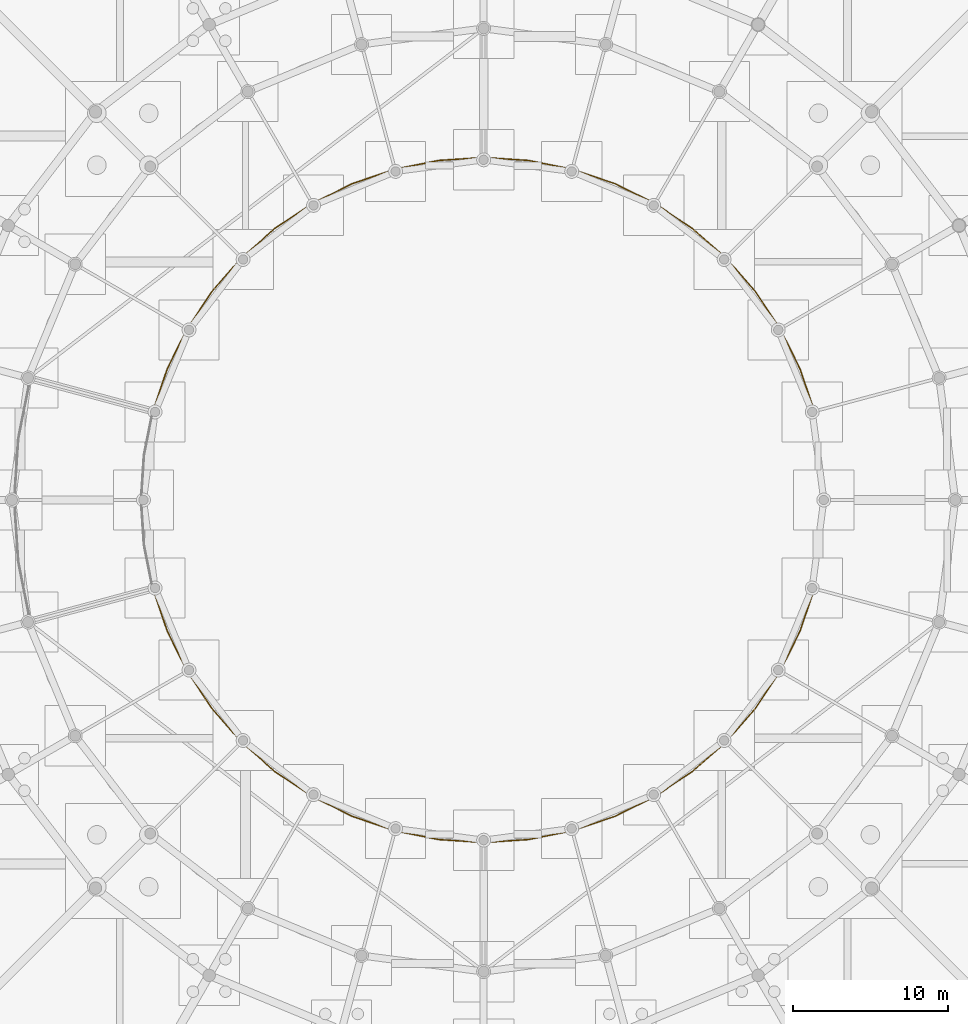
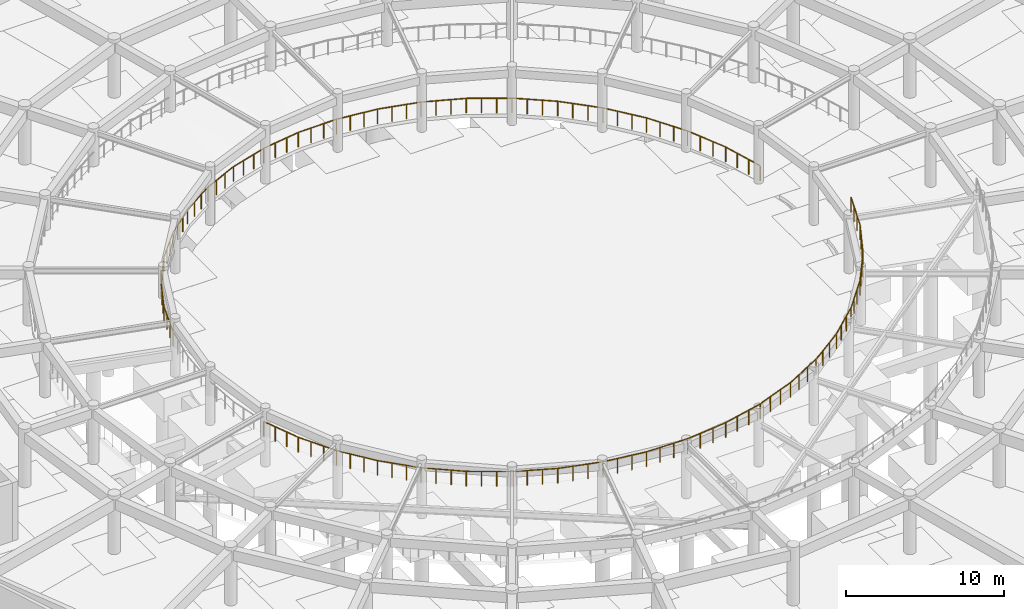
# One storey, part 69 of 84: 2 railings.
"""IFC4 building model written with IfcOpenShell, lengths in metres."""

from ifc_helpers import new_model, si_unit, direction, frame, origin, origin_2d, place, context, subcontext, project, spatial, circle, extrude, material, type_object, element, save


model = new_model("IFC4")

# Units and contexts
model_context = context("Model", 3, precision=1e-05, world=origin(), true_north=direction((0.0, 1.0)))
body_context = subcontext(model_context, "Body", "Model", "MODEL_VIEW")
ifc_project = project(units=[si_unit("LENGTHUNIT", "METRE"), si_unit("AREAUNIT", "SQUARE_METRE"), si_unit("VOLUMEUNIT", "CUBIC_METRE"), si_unit("PLANEANGLEUNIT", "RADIAN"), si_unit("MASSUNIT", "GRAM", prefix="KILO")], contexts=[model_context])

# Site, building, storey
site_placement = place(None, origin())
site = spatial("IfcSite", under=ifc_project, at=site_placement, CompositionType="ELEMENT")
building_placement = place(site_placement, origin())
building = spatial("IfcBuilding", under=site, at=building_placement, Name="Larkveld Mobility Hub", CompositionType="ELEMENT")
storey_placement = place(building_placement, origin())
storey = spatial("IfcBuildingStorey", under=building, at=storey_placement, Name="L00", CompositionType="ELEMENT", Elevation=0.0)

# Railings
ifc_material = material(Name="Galvanized Steel S355JR vehicle-deck guard", Category="steel")
railing_type = type_object("IfcRailingType", Name="RL-GRD-RMP", PredefinedType="GUARDRAIL", material=ifc_material)
railing_1_placement = place(storey_placement, frame((69.39501953125, 53.73291015625, 0.0)))
element("IfcRailing", 1, at=railing_1_placement, inside=storey, type_object=railing_type, Name="Helical Ramp Inner Sloped Guard T1 L00-003", PredefinedType="GUARDRAIL", context=body_context, shape_type="SweptSolid", body=[
    extrude(circle(Radius=0.02392578125, at=origin_2d()), frame((0.0, 0.0, 1.1259765625), z_axis=(-0.321111350097, 0.946238428976, 0.038991490977), x_axis=(-0.946958550549, -0.321355727416, 0.0)), (0.0, 0.0, 1.0), 2.89892578125),
    extrude(circle(Radius=0.02392578125, at=origin_2d()), frame((-0.930908203125, 2.7431640625, 1.23876953125), z_axis=(-0.442125433178, 0.896120570483, 0.038639675139), x_axis=(-0.896790285483, -0.442455855271, 0.0)), (0.0, 0.0, 1.0), 2.900146484375),
    extrude(circle(Radius=0.02392578125, at=origin_2d()), frame((-2.213134765625, 5.342041015625, 1.35107421875), z_axis=(-0.554986867919, 0.830964404516, 0.038571166238), x_axis=(-0.831583222437, -0.555400165791, 0.0)), (0.0, 0.0, 1.0), 2.89892578125),
    extrude(circle(Radius=0.02392578125, at=origin_2d()), frame((-3.822021484375, 7.7509765625, 1.462890625), z_axis=(-0.658969173351, 0.751159188021, 0.038980800723), x_axis=(-0.751730533478, -0.659470397392, 0.0)), (0.0, 0.0, 1.0), 2.89990234375),
    extrude(circle(Radius=0.02392578125, at=origin_2d()), frame((-5.73291015625, 9.92919921875, 1.57568359375), z_axis=(-0.751169006426, 0.65897778674, 0.038644538663), x_axis=(-0.659470397392, -0.751730533478, 0.0)), (0.0, 0.0, 1.0), 2.899658203125),
    extrude(circle(Radius=0.02392578125, at=origin_2d()), frame((-7.9111328125, 11.840087890625, 1.68798828125), z_axis=(-0.830950834948, 0.554977805038, 0.038991612099), x_axis=(-0.555400165791, -0.831583222437, 0.0)), (0.0, 0.0, 1.0), 2.89892578125),
    extrude(circle(Radius=0.02392578125, at=origin_2d()), frame((-10.320068359375, 13.448974609375, 1.80078125), z_axis=(-0.896120570483, 0.442125433178, 0.038639675139), x_axis=(-0.442455855271, -0.896790285483, 0.0)), (0.0, 0.0, 1.0), 2.900146484375),
    extrude(circle(Radius=0.02392578125, at=origin_2d()), frame((-12.9189453125, 14.731201171875, 1.9130859375), z_axis=(-0.946241532765, 0.321112403385, 0.038907403715), x_axis=(-0.321355727416, -0.946958550549, 0.0)), (0.0, 0.0, 1.0), 2.89892578125),
    extrude(circle(Radius=0.02392578125, at=origin_2d()), frame((-15.662109375, 15.662109375, 2.02587890625), z_axis=(-0.98000977138, 0.195160021483, 0.038644715212), x_axis=(-0.195305912265, -0.980742372203, 0.0)), (0.0, 0.0, 1.0), 2.899658203125),
    extrude(circle(Radius=0.02392578125, at=origin_2d()), frame((-18.50390625, 16.22802734375, 2.1376953125), z_axis=(-0.99711222275, 0.065171834184, 0.03898521864), x_axis=(-0.065221416326, -0.997870816715, 0.0)), (0.0, 0.0, 1.0), 2.8994140625),
    extrude(circle(Radius=0.02392578125, at=origin_2d()), frame((-21.39501953125, 16.4169921875, 2.2509765625), z_axis=(-0.99711222275, -0.065171834184, 0.03898521864), x_axis=(0.065221416326, -0.997870816715, 0.0)), (0.0, 0.0, 1.0), 2.8994140625),
    extrude(circle(Radius=0.02392578125, at=origin_2d()), frame((-24.2861328125, 16.22802734375, 2.36376953125), z_axis=(-0.98000977138, -0.195160021483, 0.038644715212), x_axis=(0.195305912265, -0.980742372203, 0.0)), (0.0, 0.0, 1.0), 2.899658203125),
    extrude(circle(Radius=0.02392578125, at=origin_2d()), frame((-27.1279296875, 15.662109375, 2.47607421875), z_axis=(-0.946241532765, -0.321112403385, 0.038907403715), x_axis=(0.321355727416, -0.946958550549, 0.0)), (0.0, 0.0, 1.0), 2.89892578125),
    extrude(circle(Radius=0.02392578125, at=origin_2d()), frame((-29.87109375, 14.731201171875, 2.5888671875), z_axis=(-0.896120570483, -0.442125433178, 0.038639675139), x_axis=(0.442455855271, -0.896790285483, 0.0)), (0.0, 0.0, 1.0), 2.900146484375),
    extrude(circle(Radius=0.02392578125, at=origin_2d()), frame((-32.469970703125, 13.448974609375, 2.70068359375), z_axis=(-0.830950834948, -0.554977805038, 0.038991612099), x_axis=(0.555400165791, -0.831583222437, 0.0)), (0.0, 0.0, 1.0), 2.89892578125),
    extrude(circle(Radius=0.02392578125, at=origin_2d()), frame((-34.87890625, 11.840087890625, 2.81396484375), z_axis=(-0.751169006426, -0.65897778674, 0.038644538663), x_axis=(0.659470397392, -0.751730533478, 0.0)), (0.0, 0.0, 1.0), 2.899658203125),
    extrude(circle(Radius=0.02392578125, at=origin_2d()), frame((-37.05712890625, 9.92919921875, 2.92578125), z_axis=(-0.65897778674, -0.751169006426, 0.038644538663), x_axis=(0.751730533478, -0.659470397392, 0.0)), (0.0, 0.0, 1.0), 2.899658203125),
    extrude(circle(Radius=0.02392578125, at=origin_2d()), frame((-38.968017578125, 7.7509765625, 3.0380859375), z_axis=(-0.554979625451, -0.830953560595, 0.038907524576), x_axis=(0.831583222437, -0.555400165791, 0.0)), (0.0, 0.0, 1.0), 2.89892578125),
    extrude(circle(Radius=0.02392578125, at=origin_2d()), frame((-40.576904296875, 5.342041015625, 3.15087890625), z_axis=(-0.442125433178, -0.896120570483, 0.038639675139), x_axis=(0.896790285483, -0.442455855271, 0.0)), (0.0, 0.0, 1.0), 2.900146484375),
    extrude(circle(Radius=0.02392578125, at=origin_2d()), frame((-41.859130859375, 2.7431640625, 3.2626953125), z_axis=(-0.321111350097, -0.946238428976, 0.038991490977), x_axis=(0.946958550549, -0.321355727416, 0.0)), (0.0, 0.0, 1.0), 2.89892578125),
    extrude(circle(Radius=0.02099609375, at=origin_2d()), origin(), (0.0, 0.0, 1.0), 1.101806640625),
    extrude(circle(Radius=0.02099609375, at=origin_2d()), frame((-0.310302734375, 0.914306640625, 0.03759765625)), (0.0, 0.0, 1.0), 1.101806640625),
    extrude(circle(Radius=0.02099609375, at=origin_2d()), frame((-0.62060546875, 1.828857421875, 0.075439453125)), (0.0, 0.0, 1.0), 1.101806640625),
    extrude(circle(Radius=0.02099609375, at=origin_2d()), frame((-0.930908203125, 2.7431640625, 0.113037109375)), (0.0, 0.0, 1.0), 1.101806640625),
    extrude(circle(Radius=0.02099609375, at=origin_2d()), frame((-1.3583984375, 3.609375, 0.150390625)), (0.0, 0.0, 1.0), 1.101806640625),
    extrude(circle(Radius=0.02099609375, at=origin_2d()), frame((-1.78564453125, 4.475830078125, 0.187744140625)), (0.0, 0.0, 1.0), 1.101806640625),
    extrude(circle(Radius=0.02099609375, at=origin_2d()), frame((-2.213134765625, 5.342041015625, 0.22509765625)), (0.0, 0.0, 1.0), 1.101806640625),
    extrude(circle(Radius=0.02099609375, at=origin_2d()), frame((-2.74951171875, 6.14501953125, 0.262451171875)), (0.0, 0.0, 1.0), 1.101806640625),
    extrude(circle(Radius=0.02099609375, at=origin_2d()), frame((-3.28564453125, 6.947998046875, 0.299560546875)), (0.0, 0.0, 1.0), 1.101806640625),
    extrude(circle(Radius=0.02099609375, at=origin_2d()), frame((-3.822021484375, 7.7509765625, 0.3369140625)), (0.0, 0.0, 1.0), 1.101806640625),
    extrude(circle(Radius=0.02099609375, at=origin_2d()), frame((-4.458984375, 8.47705078125, 0.37451171875)), (0.0, 0.0, 1.0), 1.101806640625),
    extrude(circle(Radius=0.02099609375, at=origin_2d()), frame((-5.095947265625, 9.203125, 0.412353515625)), (0.0, 0.0, 1.0), 1.101806640625),
    extrude(circle(Radius=0.02099609375, at=origin_2d()), frame((-5.73291015625, 9.92919921875, 0.449951171875)), (0.0, 0.0, 1.0), 1.101806640625),
    extrude(circle(Radius=0.02099609375, at=origin_2d()), frame((-6.458984375, 10.566162109375, 0.4873046875)), (0.0, 0.0, 1.0), 1.101806640625),
    extrude(circle(Radius=0.02099609375, at=origin_2d()), frame((-7.18505859375, 11.203125, 0.524658203125)), (0.0, 0.0, 1.0), 1.101806640625),
    extrude(circle(Radius=0.02099609375, at=origin_2d()), frame((-7.9111328125, 11.840087890625, 0.56201171875)), (0.0, 0.0, 1.0), 1.101806640625),
    extrude(circle(Radius=0.02099609375, at=origin_2d()), frame((-8.714111328125, 12.37646484375, 0.599609375)), (0.0, 0.0, 1.0), 1.101806640625),
    extrude(circle(Radius=0.02099609375, at=origin_2d()), frame((-9.51708984375, 12.91259765625, 0.637451171875)), (0.0, 0.0, 1.0), 1.101806640625),
    extrude(circle(Radius=0.02099609375, at=origin_2d()), frame((-10.320068359375, 13.448974609375, 0.675048828125)), (0.0, 0.0, 1.0), 1.101806640625),
    extrude(circle(Radius=0.02099609375, at=origin_2d()), frame((-11.186279296875, 13.87646484375, 0.71240234375)), (0.0, 0.0, 1.0), 1.101806640625),
    extrude(circle(Radius=0.02099609375, at=origin_2d()), frame((-12.052734375, 14.3037109375, 0.749755859375)), (0.0, 0.0, 1.0), 1.101806640625),
    extrude(circle(Radius=0.02099609375, at=origin_2d()), frame((-12.9189453125, 14.731201171875, 0.787109375)), (0.0, 0.0, 1.0), 1.101806640625),
    extrude(circle(Radius=0.02099609375, at=origin_2d()), frame((-13.833251953125, 15.04150390625, 0.82470703125)), (0.0, 0.0, 1.0), 1.101806640625),
    extrude(circle(Radius=0.02099609375, at=origin_2d()), frame((-14.747802734375, 15.351806640625, 0.8623046875)), (0.0, 0.0, 1.0), 1.101806640625),
    extrude(circle(Radius=0.02099609375, at=origin_2d()), frame((-15.662109375, 15.662109375, 0.89990234375)), (0.0, 0.0, 1.0), 1.101806640625),
    extrude(circle(Radius=0.02099609375, at=origin_2d()), frame((-16.609375, 15.850830078125, 0.937255859375)), (0.0, 0.0, 1.0), 1.101806640625),
    extrude(circle(Radius=0.02099609375, at=origin_2d()), frame((-17.556640625, 16.039306640625, 0.974609375)), (0.0, 0.0, 1.0), 1.101806640625),
    extrude(circle(Radius=0.02099609375, at=origin_2d()), frame((-18.50390625, 16.22802734375, 1.011962890625)), (0.0, 0.0, 1.0), 1.101806640625),
    extrude(circle(Radius=0.02099609375, at=origin_2d()), frame((-19.467529296875, 16.291015625, 1.049560546875)), (0.0, 0.0, 1.0), 1.101806640625),
    extrude(circle(Radius=0.02099609375, at=origin_2d()), frame((-20.431396484375, 16.35400390625, 1.08740234375)), (0.0, 0.0, 1.0), 1.101806640625),
    extrude(circle(Radius=0.02099609375, at=origin_2d()), frame((-21.39501953125, 16.4169921875, 1.125)), (0.0, 0.0, 1.0), 1.101806640625),
    extrude(circle(Radius=0.02099609375, at=origin_2d()), frame((-22.358642578125, 16.35400390625, 1.16259765625)), (0.0, 0.0, 1.0), 1.101806640625),
    extrude(circle(Radius=0.02099609375, at=origin_2d()), frame((-23.322509765625, 16.291015625, 1.200439453125)), (0.0, 0.0, 1.0), 1.101806640625),
    extrude(circle(Radius=0.02099609375, at=origin_2d()), frame((-24.2861328125, 16.22802734375, 1.238037109375)), (0.0, 0.0, 1.0), 1.101806640625),
    extrude(circle(Radius=0.02099609375, at=origin_2d()), frame((-25.2333984375, 16.039306640625, 1.275390625)), (0.0, 0.0, 1.0), 1.101806640625),
    extrude(circle(Radius=0.02099609375, at=origin_2d()), frame((-26.1806640625, 15.850830078125, 1.312744140625)), (0.0, 0.0, 1.0), 1.101806640625),
    extrude(circle(Radius=0.02099609375, at=origin_2d()), frame((-27.1279296875, 15.662109375, 1.35009765625)), (0.0, 0.0, 1.0), 1.101806640625),
    extrude(circle(Radius=0.02099609375, at=origin_2d()), frame((-28.042236328125, 15.351806640625, 1.3876953125)), (0.0, 0.0, 1.0), 1.101806640625),
    extrude(circle(Radius=0.02099609375, at=origin_2d()), frame((-28.956787109375, 15.04150390625, 1.42529296875)), (0.0, 0.0, 1.0), 1.101806640625),
    extrude(circle(Radius=0.02099609375, at=origin_2d()), frame((-29.87109375, 14.731201171875, 1.462890625)), (0.0, 0.0, 1.0), 1.101806640625),
    extrude(circle(Radius=0.02099609375, at=origin_2d()), frame((-30.7373046875, 14.3037109375, 1.500244140625)), (0.0, 0.0, 1.0), 1.101806640625),
    extrude(circle(Radius=0.02099609375, at=origin_2d()), frame((-31.603759765625, 13.87646484375, 1.53759765625)), (0.0, 0.0, 1.0), 1.101806640625),
    extrude(circle(Radius=0.02099609375, at=origin_2d()), frame((-32.469970703125, 13.448974609375, 1.574951171875)), (0.0, 0.0, 1.0), 1.101806640625),
    extrude(circle(Radius=0.02099609375, at=origin_2d()), frame((-33.27294921875, 12.91259765625, 1.612548828125)), (0.0, 0.0, 1.0), 1.101806640625),
    extrude(circle(Radius=0.02099609375, at=origin_2d()), frame((-34.075927734375, 12.37646484375, 1.650390625)), (0.0, 0.0, 1.0), 1.101806640625),
    extrude(circle(Radius=0.02099609375, at=origin_2d()), frame((-34.87890625, 11.840087890625, 1.68798828125)), (0.0, 0.0, 1.0), 1.101806640625),
    extrude(circle(Radius=0.02099609375, at=origin_2d()), frame((-35.60498046875, 11.203125, 1.725341796875)), (0.0, 0.0, 1.0), 1.101806640625),
    extrude(circle(Radius=0.02099609375, at=origin_2d()), frame((-36.3310546875, 10.566162109375, 1.7626953125)), (0.0, 0.0, 1.0), 1.101806640625),
    extrude(circle(Radius=0.02099609375, at=origin_2d()), frame((-37.05712890625, 9.92919921875, 1.800048828125)), (0.0, 0.0, 1.0), 1.101806640625),
    extrude(circle(Radius=0.02099609375, at=origin_2d()), frame((-37.694091796875, 9.203125, 1.83740234375)), (0.0, 0.0, 1.0), 1.101806640625),
    extrude(circle(Radius=0.02099609375, at=origin_2d()), frame((-38.3310546875, 8.47705078125, 1.874755859375)), (0.0, 0.0, 1.0), 1.101806640625),
    extrude(circle(Radius=0.02099609375, at=origin_2d()), frame((-38.968017578125, 7.7509765625, 1.912109375)), (0.0, 0.0, 1.0), 1.101806640625),
    extrude(circle(Radius=0.02099609375, at=origin_2d()), frame((-39.50439453125, 6.947998046875, 1.94970703125)), (0.0, 0.0, 1.0), 1.101806640625),
    extrude(circle(Radius=0.02099609375, at=origin_2d()), frame((-40.04052734375, 6.14501953125, 1.9873046875)), (0.0, 0.0, 1.0), 1.101806640625),
    extrude(circle(Radius=0.02099609375, at=origin_2d()), frame((-40.576904296875, 5.342041015625, 2.02490234375)), (0.0, 0.0, 1.0), 1.101806640625),
    extrude(circle(Radius=0.02099609375, at=origin_2d()), frame((-41.00439453125, 4.475830078125, 2.062255859375)), (0.0, 0.0, 1.0), 1.101806640625),
    extrude(circle(Radius=0.02099609375, at=origin_2d()), frame((-41.431640625, 3.609375, 2.099609375)), (0.0, 0.0, 1.0), 1.101806640625),
    extrude(circle(Radius=0.02099609375, at=origin_2d()), frame((-41.859130859375, 2.7431640625, 2.136962890625)), (0.0, 0.0, 1.0), 1.101806640625),
    extrude(circle(Radius=0.02099609375, at=origin_2d()), frame((-42.16943359375, 1.828857421875, 2.174560546875)), (0.0, 0.0, 1.0), 1.101806640625),
    extrude(circle(Radius=0.02099609375, at=origin_2d()), frame((-42.479736328125, 0.914306640625, 2.21240234375)), (0.0, 0.0, 1.0), 1.101806640625),
    extrude(circle(Radius=0.02099609375, at=origin_2d()), frame((-42.7900390625, 0.0, 2.25)), (0.0, 0.0, 1.0), 1.101806640625),
])
railing_2_placement = place(storey_placement, frame((26.60498046875, 42.26708984375, 2.25)))
element("IfcRailing", 2, at=railing_2_placement, inside=storey, type_object=railing_type, Name="Helical Ramp Inner Sloped Guard T2 L00-005", PredefinedType="GUARDRAIL", context=body_context, shape_type="SweptSolid", body=[
    extrude(circle(Radius=0.02392578125, at=origin_2d()), frame((0.0, 0.0, 1.1259765625), z_axis=(0.321115549647, -0.946250804047, 0.038655136976), x_axis=(0.946958550549, 0.321355727416, 0.0)), (0.0, 0.0, 1.0), 2.89892578125),
    extrude(circle(Radius=0.02392578125, at=origin_2d()), frame((0.930908203125, -2.7431640625, 1.23779296875), z_axis=(0.442119655684, -0.896108860388, 0.038975895008), x_axis=(0.896790285483, 0.442455855271, 0.0)), (0.0, 0.0, 1.0), 2.900146484375),
    extrude(circle(Radius=0.02392578125, at=origin_2d()), frame((2.213134765625, -5.342041015625, 1.35107421875), z_axis=(0.554986867919, -0.830964404516, 0.038571166238), x_axis=(0.831583222437, 0.555400165791, 0.0)), (0.0, 0.0, 1.0), 2.89892578125),
    extrude(circle(Radius=0.02392578125, at=origin_2d()), frame((3.822021484375, -7.7509765625, 1.462890625), z_axis=(0.658969173351, -0.751159188021, 0.038980800723), x_axis=(0.751730533478, 0.659470397392, 0.0)), (0.0, 0.0, 1.0), 2.89990234375),
    extrude(circle(Radius=0.02392578125, at=origin_2d()), frame((5.73291015625, -9.92919921875, 1.57568359375), z_axis=(0.751169006426, -0.65897778674, 0.038644538663), x_axis=(0.659470397392, 0.751730533478, 0.0)), (0.0, 0.0, 1.0), 2.899658203125),
    extrude(circle(Radius=0.02392578125, at=origin_2d()), frame((7.9111328125, -11.840087890625, 1.68798828125), z_axis=(0.830950834948, -0.554977805038, 0.038991612099), x_axis=(0.555400165791, 0.831583222437, 0.0)), (0.0, 0.0, 1.0), 2.89892578125),
    extrude(circle(Radius=0.02392578125, at=origin_2d()), frame((10.320068359375, -13.448974609375, 1.80078125), z_axis=(0.896108860388, -0.442119655684, 0.038975895008), x_axis=(0.442455855271, 0.896790285483, 0.0)), (0.0, 0.0, 1.0), 2.900146484375),
    extrude(circle(Radius=0.02392578125, at=origin_2d()), frame((12.9189453125, -14.731201171875, 1.9140625), z_axis=(0.946253881113, -0.321116593867, 0.038571046418), x_axis=(0.321355727416, 0.946958550549, 0.0)), (0.0, 0.0, 1.0), 2.89892578125),
    extrude(circle(Radius=0.02392578125, at=origin_2d()), frame((15.662109375, -15.662109375, 2.02587890625), z_axis=(0.979996961719, -0.195157470555, 0.038980978804), x_axis=(0.195305912265, 0.980742372203, 0.0)), (0.0, 0.0, 1.0), 2.89990234375),
    extrude(circle(Radius=0.02392578125, at=origin_2d()), frame((18.50390625, -16.22802734375, 2.138671875), z_axis=(0.997125258962, -0.065172686239, 0.038648918583), x_axis=(0.065221416326, 0.997870816715, 0.0)), (0.0, 0.0, 1.0), 2.8994140625),
    extrude(circle(Radius=0.02392578125, at=origin_2d()), frame((21.39501953125, -16.4169921875, 2.2509765625), z_axis=(0.997125258962, 0.065172686239, 0.038648918583), x_axis=(-0.065221416326, 0.997870816715, 0.0)), (0.0, 0.0, 1.0), 2.8994140625),
    extrude(circle(Radius=0.02392578125, at=origin_2d()), frame((24.2861328125, -16.22802734375, 2.36279296875), z_axis=(0.979996961719, 0.195157470555, 0.038980978804), x_axis=(-0.195305912265, 0.980742372203, 0.0)), (0.0, 0.0, 1.0), 2.89990234375),
    extrude(circle(Radius=0.02392578125, at=origin_2d()), frame((27.1279296875, -15.662109375, 2.47607421875), z_axis=(0.946241532765, 0.321112403385, 0.038907403715), x_axis=(-0.321355727416, 0.946958550549, 0.0)), (0.0, 0.0, 1.0), 2.89892578125),
    extrude(circle(Radius=0.02392578125, at=origin_2d()), frame((29.87109375, -14.731201171875, 2.5888671875), z_axis=(0.896120570483, 0.442125433178, 0.038639675139), x_axis=(-0.442455855271, 0.896790285483, 0.0)), (0.0, 0.0, 1.0), 2.900146484375),
    extrude(circle(Radius=0.02392578125, at=origin_2d()), frame((32.469970703125, -13.448974609375, 2.70068359375), z_axis=(0.830950834948, 0.554977805038, 0.038991612099), x_axis=(-0.555400165791, 0.831583222437, 0.0)), (0.0, 0.0, 1.0), 2.89892578125),
    extrude(circle(Radius=0.02392578125, at=origin_2d()), frame((34.87890625, -11.840087890625, 2.81396484375), z_axis=(0.751169006426, 0.65897778674, 0.038644538663), x_axis=(-0.659470397392, 0.751730533478, 0.0)), (0.0, 0.0, 1.0), 2.899658203125),
    extrude(circle(Radius=0.02392578125, at=origin_2d()), frame((37.05712890625, -9.92919921875, 2.92578125), z_axis=(0.65897778674, 0.751169006426, 0.038644538663), x_axis=(-0.751730533478, 0.659470397392, 0.0)), (0.0, 0.0, 1.0), 2.899658203125),
    extrude(circle(Radius=0.02392578125, at=origin_2d()), frame((38.968017578125, -7.7509765625, 3.0380859375), z_axis=(0.554979625451, 0.830953560595, 0.038907524576), x_axis=(-0.831583222437, 0.555400165791, 0.0)), (0.0, 0.0, 1.0), 2.89892578125),
    extrude(circle(Radius=0.02392578125, at=origin_2d()), frame((40.576904296875, -5.342041015625, 3.15087890625), z_axis=(0.442125433178, 0.896120570483, 0.038639675139), x_axis=(-0.896790285483, 0.442455855271, 0.0)), (0.0, 0.0, 1.0), 2.900146484375),
    extrude(circle(Radius=0.02392578125, at=origin_2d()), frame((41.859130859375, -2.7431640625, 3.2626953125), z_axis=(0.321111350097, 0.946238428976, 0.038991490977), x_axis=(-0.946958550549, 0.321355727416, 0.0)), (0.0, 0.0, 1.0), 2.89892578125),
    extrude(circle(Radius=0.02099609375, at=origin_2d()), origin(), (0.0, 0.0, 1.0), 1.101806640625),
    extrude(circle(Radius=0.02099609375, at=origin_2d()), frame((0.310302734375, -0.914306640625, 0.037353515625)), (0.0, 0.0, 1.0), 1.101806640625),
    extrude(circle(Radius=0.02099609375, at=origin_2d()), frame((0.62060546875, -1.828857421875, 0.07470703125)), (0.0, 0.0, 1.0), 1.101806640625),
    extrude(circle(Radius=0.02099609375, at=origin_2d()), frame((0.930908203125, -2.7431640625, 0.112060546875)), (0.0, 0.0, 1.0), 1.101806640625),
    extrude(circle(Radius=0.02099609375, at=origin_2d()), frame((1.3583984375, -3.609375, 0.149658203125)), (0.0, 0.0, 1.0), 1.101806640625),
    extrude(circle(Radius=0.02099609375, at=origin_2d()), frame((1.78564453125, -4.475830078125, 0.1875)), (0.0, 0.0, 1.0), 1.101806640625),
    extrude(circle(Radius=0.02099609375, at=origin_2d()), frame((2.213134765625, -5.342041015625, 0.22509765625)), (0.0, 0.0, 1.0), 1.101806640625),
    extrude(circle(Radius=0.02099609375, at=origin_2d()), frame((2.74951171875, -6.14501953125, 0.262451171875)), (0.0, 0.0, 1.0), 1.101806640625),
    extrude(circle(Radius=0.02099609375, at=origin_2d()), frame((3.28564453125, -6.947998046875, 0.299560546875)), (0.0, 0.0, 1.0), 1.101806640625),
    extrude(circle(Radius=0.02099609375, at=origin_2d()), frame((3.822021484375, -7.7509765625, 0.3369140625)), (0.0, 0.0, 1.0), 1.101806640625),
    extrude(circle(Radius=0.02099609375, at=origin_2d()), frame((4.458984375, -8.47705078125, 0.37451171875)), (0.0, 0.0, 1.0), 1.101806640625),
    extrude(circle(Radius=0.02099609375, at=origin_2d()), frame((5.095947265625, -9.203125, 0.412353515625)), (0.0, 0.0, 1.0), 1.101806640625),
    extrude(circle(Radius=0.02099609375, at=origin_2d()), frame((5.73291015625, -9.92919921875, 0.449951171875)), (0.0, 0.0, 1.0), 1.101806640625),
    extrude(circle(Radius=0.02099609375, at=origin_2d()), frame((6.458984375, -10.566162109375, 0.4873046875)), (0.0, 0.0, 1.0), 1.101806640625),
    extrude(circle(Radius=0.02099609375, at=origin_2d()), frame((7.18505859375, -11.203125, 0.524658203125)), (0.0, 0.0, 1.0), 1.101806640625),
    extrude(circle(Radius=0.02099609375, at=origin_2d()), frame((7.9111328125, -11.840087890625, 0.56201171875)), (0.0, 0.0, 1.0), 1.101806640625),
    extrude(circle(Radius=0.02099609375, at=origin_2d()), frame((8.714111328125, -12.37646484375, 0.599609375)), (0.0, 0.0, 1.0), 1.101806640625),
    extrude(circle(Radius=0.02099609375, at=origin_2d()), frame((9.51708984375, -12.91259765625, 0.637451171875)), (0.0, 0.0, 1.0), 1.101806640625),
    extrude(circle(Radius=0.02099609375, at=origin_2d()), frame((10.320068359375, -13.448974609375, 0.675048828125)), (0.0, 0.0, 1.0), 1.101806640625),
    extrude(circle(Radius=0.02099609375, at=origin_2d()), frame((11.186279296875, -13.87646484375, 0.712646484375)), (0.0, 0.0, 1.0), 1.101806640625),
    extrude(circle(Radius=0.02099609375, at=origin_2d()), frame((12.052734375, -14.3037109375, 0.75048828125)), (0.0, 0.0, 1.0), 1.101806640625),
    extrude(circle(Radius=0.02099609375, at=origin_2d()), frame((12.9189453125, -14.731201171875, 0.7880859375)), (0.0, 0.0, 1.0), 1.101806640625),
    extrude(circle(Radius=0.02099609375, at=origin_2d()), frame((13.833251953125, -15.04150390625, 0.825439453125)), (0.0, 0.0, 1.0), 1.101806640625),
    extrude(circle(Radius=0.02099609375, at=origin_2d()), frame((14.747802734375, -15.351806640625, 0.862548828125)), (0.0, 0.0, 1.0), 1.101806640625),
    extrude(circle(Radius=0.02099609375, at=origin_2d()), frame((15.662109375, -15.662109375, 0.89990234375)), (0.0, 0.0, 1.0), 1.101806640625),
    extrude(circle(Radius=0.02099609375, at=origin_2d()), frame((16.609375, -15.850830078125, 0.9375)), (0.0, 0.0, 1.0), 1.101806640625),
    extrude(circle(Radius=0.02099609375, at=origin_2d()), frame((17.556640625, -16.039306640625, 0.975341796875)), (0.0, 0.0, 1.0), 1.101806640625),
    extrude(circle(Radius=0.02099609375, at=origin_2d()), frame((18.50390625, -16.22802734375, 1.012939453125)), (0.0, 0.0, 1.0), 1.101806640625),
    extrude(circle(Radius=0.02099609375, at=origin_2d()), frame((19.467529296875, -16.291015625, 1.05029296875)), (0.0, 0.0, 1.0), 1.101806640625),
    extrude(circle(Radius=0.02099609375, at=origin_2d()), frame((20.431396484375, -16.35400390625, 1.087646484375)), (0.0, 0.0, 1.0), 1.101806640625),
    extrude(circle(Radius=0.02099609375, at=origin_2d()), frame((21.39501953125, -16.4169921875, 1.125)), (0.0, 0.0, 1.0), 1.101806640625),
    extrude(circle(Radius=0.02099609375, at=origin_2d()), frame((22.358642578125, -16.35400390625, 1.162353515625)), (0.0, 0.0, 1.0), 1.101806640625),
    extrude(circle(Radius=0.02099609375, at=origin_2d()), frame((23.322509765625, -16.291015625, 1.19970703125)), (0.0, 0.0, 1.0), 1.101806640625),
    extrude(circle(Radius=0.02099609375, at=origin_2d()), frame((24.2861328125, -16.22802734375, 1.237060546875)), (0.0, 0.0, 1.0), 1.101806640625),
    extrude(circle(Radius=0.02099609375, at=origin_2d()), frame((25.2333984375, -16.039306640625, 1.274658203125)), (0.0, 0.0, 1.0), 1.101806640625),
    extrude(circle(Radius=0.02099609375, at=origin_2d()), frame((26.1806640625, -15.850830078125, 1.3125)), (0.0, 0.0, 1.0), 1.101806640625),
    extrude(circle(Radius=0.02099609375, at=origin_2d()), frame((27.1279296875, -15.662109375, 1.35009765625)), (0.0, 0.0, 1.0), 1.101806640625),
    extrude(circle(Radius=0.02099609375, at=origin_2d()), frame((28.042236328125, -15.351806640625, 1.3876953125)), (0.0, 0.0, 1.0), 1.101806640625),
    extrude(circle(Radius=0.02099609375, at=origin_2d()), frame((28.956787109375, -15.04150390625, 1.42529296875)), (0.0, 0.0, 1.0), 1.101806640625),
    extrude(circle(Radius=0.02099609375, at=origin_2d()), frame((29.87109375, -14.731201171875, 1.462890625)), (0.0, 0.0, 1.0), 1.101806640625),
    extrude(circle(Radius=0.02099609375, at=origin_2d()), frame((30.7373046875, -14.3037109375, 1.500244140625)), (0.0, 0.0, 1.0), 1.101806640625),
    extrude(circle(Radius=0.02099609375, at=origin_2d()), frame((31.603759765625, -13.87646484375, 1.53759765625)), (0.0, 0.0, 1.0), 1.101806640625),
    extrude(circle(Radius=0.02099609375, at=origin_2d()), frame((32.469970703125, -13.448974609375, 1.574951171875)), (0.0, 0.0, 1.0), 1.101806640625),
    extrude(circle(Radius=0.02099609375, at=origin_2d()), frame((33.27294921875, -12.91259765625, 1.612548828125)), (0.0, 0.0, 1.0), 1.101806640625),
    extrude(circle(Radius=0.02099609375, at=origin_2d()), frame((34.075927734375, -12.37646484375, 1.650390625)), (0.0, 0.0, 1.0), 1.101806640625),
    extrude(circle(Radius=0.02099609375, at=origin_2d()), frame((34.87890625, -11.840087890625, 1.68798828125)), (0.0, 0.0, 1.0), 1.101806640625),
    extrude(circle(Radius=0.02099609375, at=origin_2d()), frame((35.60498046875, -11.203125, 1.725341796875)), (0.0, 0.0, 1.0), 1.101806640625),
    extrude(circle(Radius=0.02099609375, at=origin_2d()), frame((36.3310546875, -10.566162109375, 1.7626953125)), (0.0, 0.0, 1.0), 1.101806640625),
    extrude(circle(Radius=0.02099609375, at=origin_2d()), frame((37.05712890625, -9.92919921875, 1.800048828125)), (0.0, 0.0, 1.0), 1.101806640625),
    extrude(circle(Radius=0.02099609375, at=origin_2d()), frame((37.694091796875, -9.203125, 1.83740234375)), (0.0, 0.0, 1.0), 1.101806640625),
    extrude(circle(Radius=0.02099609375, at=origin_2d()), frame((38.3310546875, -8.47705078125, 1.874755859375)), (0.0, 0.0, 1.0), 1.101806640625),
    extrude(circle(Radius=0.02099609375, at=origin_2d()), frame((38.968017578125, -7.7509765625, 1.912109375)), (0.0, 0.0, 1.0), 1.101806640625),
    extrude(circle(Radius=0.02099609375, at=origin_2d()), frame((39.50439453125, -6.947998046875, 1.94970703125)), (0.0, 0.0, 1.0), 1.101806640625),
    extrude(circle(Radius=0.02099609375, at=origin_2d()), frame((40.04052734375, -6.14501953125, 1.9873046875)), (0.0, 0.0, 1.0), 1.101806640625),
    extrude(circle(Radius=0.02099609375, at=origin_2d()), frame((40.576904296875, -5.342041015625, 2.02490234375)), (0.0, 0.0, 1.0), 1.101806640625),
    extrude(circle(Radius=0.02099609375, at=origin_2d()), frame((41.00439453125, -4.475830078125, 2.062255859375)), (0.0, 0.0, 1.0), 1.101806640625),
    extrude(circle(Radius=0.02099609375, at=origin_2d()), frame((41.431640625, -3.609375, 2.099609375)), (0.0, 0.0, 1.0), 1.101806640625),
    extrude(circle(Radius=0.02099609375, at=origin_2d()), frame((41.859130859375, -2.7431640625, 2.136962890625)), (0.0, 0.0, 1.0), 1.101806640625),
    extrude(circle(Radius=0.02099609375, at=origin_2d()), frame((42.16943359375, -1.828857421875, 2.174560546875)), (0.0, 0.0, 1.0), 1.101806640625),
    extrude(circle(Radius=0.02099609375, at=origin_2d()), frame((42.479736328125, -0.914306640625, 2.21240234375)), (0.0, 0.0, 1.0), 1.101806640625),
    extrude(circle(Radius=0.02099609375, at=origin_2d()), frame((42.7900390625, 0.0, 2.25)), (0.0, 0.0, 1.0), 1.101806640625),
])

save(model, "model.ifc")
